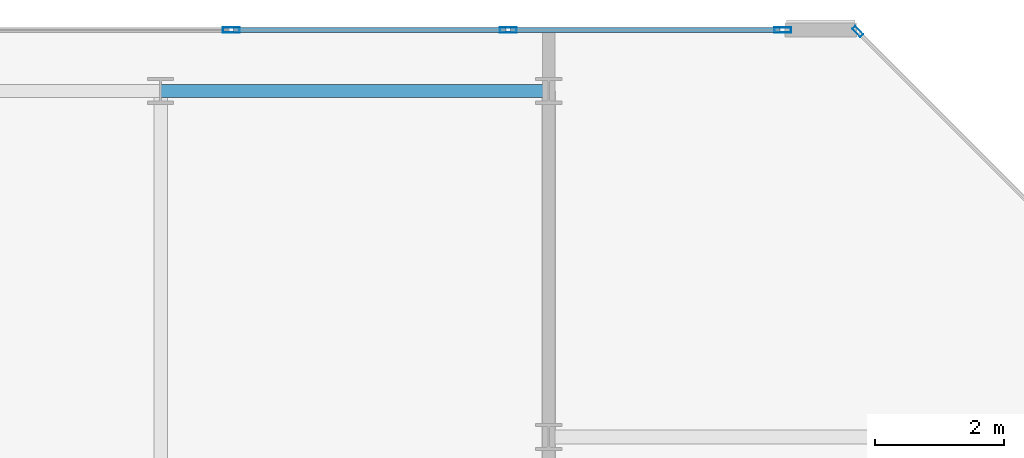
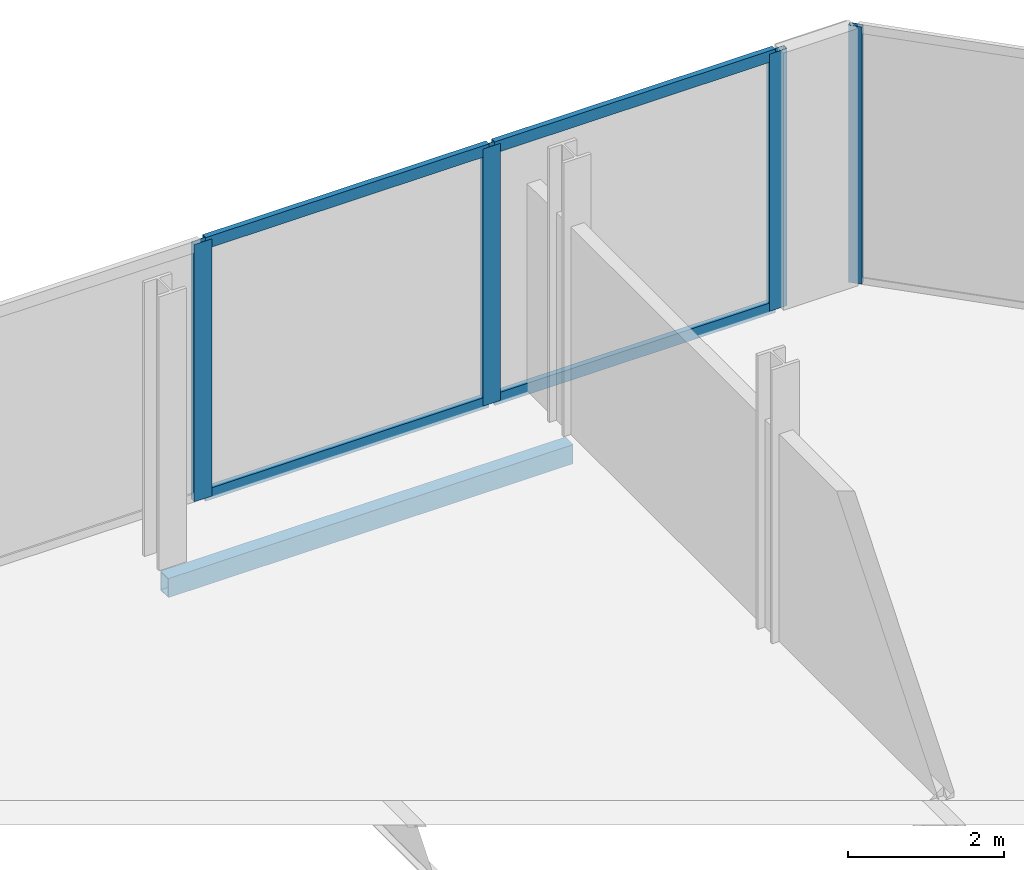
# One storey, part 12 of 16: 8 members, 1 beam, 2 elements without a shape of their own.
"""IFC4 building model written with IfcOpenShell, lengths in metres."""

import ifcopenshell
import ifcopenshell.guid

model = None  # the IFC model being written
_history = None  # IfcOwnerHistory: only IFC2X3 demands one
_inside = {}  # id of a spatial element -> (the spatial element, [elements in it])
_under = {}  # id of a project, library or spatial element -> (it, [spatial elements below it])
_declared = {}  # id of a project -> (the project, [libraries it declares])
_typed = {}  # id of a type object -> (the type object, [elements of that type])
_made_of = {}  # id of a material, layer set ... -> (it, [elements and type objects made of it])


def new_model(schema):
    """Start an empty IFC model of exactly this schema.

    Asked for "IFC4X3", IfcOpenShell would pick the latest addendum, in which some entities
    have other attributes; the version numbers below select the first issue.
    IFC2X3 requires an IfcOwnerHistory on every rooted entity: one is made here for all.
    """
    global model, _history
    if schema == "IFC4X3":
        model = ifcopenshell.file(schema_version=(4, 3, 0, 0))
    else:
        model = ifcopenshell.file(schema=schema)
    _inside.clear()
    _under.clear()
    _declared.clear()
    _typed.clear()
    _made_of.clear()
    _history = None
    if model.schema == "IFC2X3":
        org = make("IfcOrganization", Name="unknown")
        user = make(
            "IfcPersonAndOrganization",
            ThePerson=make("IfcPerson", FamilyName="unknown"),
            TheOrganization=org,
        )
        app = make(
            "IfcApplication",
            ApplicationDeveloper=org,
            Version="unknown",
            ApplicationFullName="unknown",
            ApplicationIdentifier="unknown",
        )
        _history = make(
            "IfcOwnerHistory",
            OwningUser=user,
            OwningApplication=app,
            ChangeAction="ADDED",
            CreationDate=0,
        )
    return model


def make(cls, **values):
    """One entity of the class cls with the attributes given. An attribute that is None is left unset."""
    return model.create_entity(
        cls, **{name: value for name, value in values.items() if value is not None}
    )


def rooted(cls, **values):
    """An entity with a GlobalId (a new one), such as an element, a storey or a relation."""
    return make(cls, GlobalId=ifcopenshell.guid.new(), OwnerHistory=_history, **values)


def si_unit(unit_type, name, prefix=None):
    """IfcSIUnit, for example si_unit("LENGTHUNIT", "METRE", prefix="MILLI")."""
    return make("IfcSIUnit", UnitType=unit_type, Prefix=prefix, Name=name)


def assignment(units):
    """IfcUnitAssignment: the units of a project."""
    return None if units is None else make("IfcUnitAssignment", Units=units)


def point(xyz):
    """IfcCartesianPoint."""
    return None if xyz is None else make("IfcCartesianPoint", Coordinates=xyz)


def direction(xyz):
    """IfcDirection."""
    return None if xyz is None else make("IfcDirection", DirectionRatios=xyz)


def frame(location, z_axis=None, x_axis=None):
    """IfcAxis2Placement3D, a coordinate frame: its origin and axes. An axis left out is left unset."""
    return make(
        "IfcAxis2Placement3D",
        Location=point(location),
        Axis=direction(z_axis),
        RefDirection=direction(x_axis),
    )


def frame_2d(location, x_axis=None):
    """IfcAxis2Placement2D, a coordinate frame in the plane: its origin and x axis."""
    return make(
        "IfcAxis2Placement2D", Location=point(location), RefDirection=direction(x_axis)
    )


def origin():
    """The frame at (0, 0, 0) with its axes left unset."""
    return frame((0.0, 0.0, 0.0))


def origin_2d():
    """The frame at (0, 0) in the plane with its x axis left unset."""
    return frame_2d((0.0, 0.0))


def place(relative_to, where):
    """IfcLocalPlacement: puts the frame where relative to a parent placement (None: the world)."""
    return make(
        "IfcLocalPlacement", PlacementRelTo=relative_to, RelativePlacement=where
    )


def context(
    kind, dimensions, precision=None, world=None, true_north=None, identifier=None
):
    """IfcGeometricRepresentationContext, for example the 3D "Model" context."""
    return make(
        "IfcGeometricRepresentationContext",
        ContextIdentifier=identifier,
        ContextType=kind,
        CoordinateSpaceDimension=dimensions,
        Precision=precision,
        WorldCoordinateSystem=world,
        TrueNorth=true_north,
    )


def subcontext(parent, identifier, kind, view, scale=None):
    """IfcGeometricRepresentationSubContext, for example "Body" below "Model"."""
    return make(
        "IfcGeometricRepresentationSubContext",
        ContextIdentifier=identifier,
        ContextType=kind,
        ParentContext=parent,
        TargetScale=scale,
        TargetView=view,
    )


def project(units=None, contexts=None):
    """IfcProject with its units and contexts."""
    return rooted(
        "IfcProject",
        Name="project",
        RepresentationContexts=contexts,
        UnitsInContext=assignment(units),
    )


def spatial(cls, under=None, at=None, **own):
    """A site, building, storey or space (cls), placed at a placement, below another one or the project."""
    s = rooted(cls, ObjectPlacement=at, **own)
    if under is not None:
        _under.setdefault(under.id(), (under, []))[1].append(s)
    return s


def profile(cls, at=None, kind="AREA", **sizes):
    """A parametric profile (cls). Its sizes go by their IFC names, for example OverallWidth=200.0."""
    return make(cls, ProfileType=kind, Position=at, **sizes)


def hollow_rectangle(**sizes):
    """IfcRectangleHollowProfileDef."""
    return profile("IfcRectangleHollowProfileDef", **sizes)


def extrude(swept, where, along, depth):
    """IfcExtrudedAreaSolid: the profile swept, set in the frame where, extruded along a direction by depth."""
    return make(
        "IfcExtrudedAreaSolid",
        SweptArea=swept,
        Position=where,
        ExtrudedDirection=direction(along),
        Depth=depth,
    )


def shape(context_of_items, identifier, shape_type, items):
    """IfcShapeRepresentation: the items that make up one representation, for example the "Body"."""
    return make(
        "IfcShapeRepresentation",
        ContextOfItems=context_of_items,
        RepresentationIdentifier=identifier,
        RepresentationType=shape_type,
        Items=items,
    )


def material(Name=None, Category=None):
    """IfcMaterial."""
    return make("IfcMaterial", Name=Name, Category=Category)


def layer(
    of_material, thickness, ventilated=None, Name=None, Category=None, Priority=None
):
    """IfcMaterialLayer: one layer of a wall or slab, of a material (None: an air gap)."""
    return make(
        "IfcMaterialLayer",
        Material=of_material,
        LayerThickness=thickness,
        IsVentilated=ventilated,
        Name=Name,
        Category=Category,
        Priority=Priority,
    )


def layer_set(layers, Name=None):
    """IfcMaterialLayerSet."""
    return make("IfcMaterialLayerSet", MaterialLayers=layers, LayerSetName=Name)


def material_profile(
    of_material, cross_section, Name=None, Category=None, Priority=None
):
    """IfcMaterialProfile: a cross section and its material."""
    return make(
        "IfcMaterialProfile",
        Name=Name,
        Material=of_material,
        Profile=cross_section,
        Priority=Priority,
        Category=Category,
    )


def profile_set(profiles, Name=None, composite=None):
    """IfcMaterialProfileSet."""
    return make(
        "IfcMaterialProfileSet",
        Name=Name,
        MaterialProfiles=profiles,
        CompositeProfile=composite,
    )


def made_of(thing, what):
    """Note that an element or type object is made of a material, layer set ...; save() writes the relation."""
    if what is not None:
        _made_of.setdefault(what.id(), (what, []))[1].append(thing)
    return thing


def type_object(cls, material=None, **own):
    """A type object (cls), such as IfcWallType, which elements share."""
    return made_of(rooted(cls, **own), material)


def element(
    cls,
    number,
    at=None,
    inside=None,
    cuts=None,
    type_object=None,
    material=None,
    context=None,
    identifier="Body",
    shape_type=None,
    held_by="IfcProductDefinitionShape",
    body=None,
    shapes=None,
    **own,
):
    """One element of the class cls, such as IfcWall. Its Tag is "e" and its number.

    at: its placement. inside: the storey or other place that contains it. cuts: it is an
    opening in that element (IfcRelVoidsElement). A single representation is given by context,
    identifier, shape_type and body (its items); several are given by shapes. held_by: the class
    of the entity that holds the representations. save() writes the other relations.
    """
    e = rooted(cls, Tag="e%d" % number, ObjectPlacement=at, **own)
    if body is not None:
        shapes = [shape(context, identifier, shape_type, body)]
    if shapes is not None:
        e.Representation = make(held_by, Representations=shapes)
    if inside is not None:
        _inside.setdefault(inside.id(), (inside, []))[1].append(e)
    if cuts is not None:
        rooted(
            "IfcRelVoidsElement", RelatingBuildingElement=cuts, RelatedOpeningElement=e
        )
    if type_object is not None:
        _typed.setdefault(type_object.id(), (type_object, []))[1].append(e)
    return made_of(e, material)


def aggregate(whole, parts):
    """IfcRelAggregates: a whole, such as a stair, and the parts it consists of."""
    return rooted("IfcRelAggregates", RelatingObject=whole, RelatedObjects=parts)


def save(model, path):
    """Write the relations noted so far, then the file.

    IfcRelAggregates (storeys below a building ...), IfcRelContainedInSpatialStructure (elements
    in a storey), IfcRelDefinesByType, IfcRelAssociatesMaterial and IfcRelDeclares: one each for
    every whole, place, type object, material and project.
    """
    for whole, parts in _under.values():
        aggregate(whole, parts)
    for where, things in _inside.values():
        rooted(
            "IfcRelContainedInSpatialStructure",
            RelatedElements=things,
            RelatingStructure=where,
        )
    for kind, things in _typed.values():
        rooted("IfcRelDefinesByType", RelatedObjects=things, RelatingType=kind)
    for what, things in _made_of.values():
        rooted("IfcRelAssociatesMaterial", RelatedObjects=things, RelatingMaterial=what)
    for by, libraries in _declared.values():
        rooted("IfcRelDeclares", RelatingContext=by, RelatedDefinitions=libraries)
    model.write(path)


model = new_model("IFC4")

# Units and contexts
model_context = context("Model", 3, precision=1e-05, world=origin(), true_north=direction((0.0, 1.0)))
body_context = subcontext(model_context, "Body", "Model", "MODEL_VIEW")
ifc_project = project(units=[si_unit("LENGTHUNIT", "METRE"), si_unit("AREAUNIT", "SQUARE_METRE"), si_unit("VOLUMEUNIT", "CUBIC_METRE"), si_unit("PLANEANGLEUNIT", "RADIAN"), si_unit("MASSUNIT", "GRAM", prefix="KILO")], contexts=[model_context])

# Site, building, storey
site_placement = place(None, origin())
site = spatial("IfcSite", under=ifc_project, at=site_placement, CompositionType="ELEMENT")
building_placement = place(site_placement, origin())
building = spatial("IfcBuilding", under=site, at=building_placement, Name="Tanjung Sevakor Pilgrim Tower", CompositionType="ELEMENT")
storey_placement = place(building_placement, frame((0.0, 0.0, 278.85009765625)))
storey = spatial("IfcBuildingStorey", under=building, at=storey_placement, Name="L78", CompositionType="ELEMENT", Elevation=278.85009765625)

# Beam
ifc_material_1 = material(Name="Steel S355J2", Category="steel")
ifc_material_profile_1 = material_profile(ifc_material_1, hollow_rectangle(XDim=0.199951171875, YDim=0.300048828125, WallThickness=0.012451171875, at=origin_2d()))
ifc_profile_set_1 = profile_set([ifc_material_profile_1], Name="Steel S355J2")
beam_type = type_object("IfcBeamType", Name="BM-B-SP3-RHS_300x200x12.5", PredefinedType="SPANDREL", material=ifc_profile_set_1)
beam_placement = place(storey_placement, frame((84.0, 53.949951171875, -0.41015625), z_axis=(1.0, 0.0, 0.0), x_axis=(0.0, 1.0, 0.0)))
element("IfcBeam", 1, at=beam_placement, inside=storey, type_object=beam_type, Name="L78 Spandrel EAST N-06", PredefinedType="SPANDREL", context=body_context, shape_type="SweptSolid", body=[
    extrude(hollow_rectangle(XDim=0.199951171875, YDim=0.300048828125, WallThickness=0.012451171875, at=origin_2d()), origin(), (0.0, 0.0, 1.0), 6.0),
])

# Curtain wall, member
ifc_material_2 = material(Name="Aluminium 6063-T6 and Low-E Glass", Category="aluminium")
ifc_layer_1 = layer(ifc_material_2, 0.179931640625)
ifc_layer_set_1 = layer_set([ifc_layer_1], Name="CW-SYS-CHAM")
curtain_wall_type_1 = type_object("IfcCurtainWallType", Name="CW-SYS-CHAM", PredefinedType="NOTDEFINED", material=ifc_layer_set_1)
curtain_wall_1_placement = place(storey_placement, origin())
curtain_wall_1 = element("IfcCurtainWall", 2, at=curtain_wall_1_placement, inside=storey, type_object=curtain_wall_type_1, Name="L78 Curtain Wall CW-CHM-L78-EAST-3", PredefinedType="NOTDEFINED")
ifc_material_3 = material(Name="Aluminium 6063-T6", Category="aluminium")
ifc_material_profile_2 = material_profile(ifc_material_3, hollow_rectangle(XDim=0.06494140625, YDim=0.179931640625, WallThickness=0.00390625, at=origin_2d()))
ifc_profile_set_2 = profile_set([ifc_material_profile_2], Name="Aluminium 6063-T6")
member_type_1 = type_object("IfcMemberType", Name="TYPE-CWM-1", PredefinedType="MULLION", material=ifc_profile_set_2)
member_1_placement = place(storey_placement, frame((94.77734375, 54.866943359375, 0.0), z_axis=(0.0, 0.0, 1.0), x_axis=(-0.707106781187, -0.707106781187, 0.0)))
member_1 = element("IfcMember", 3, at=member_1_placement, type_object=member_type_1, Name="CW-CHM mullion 2", PredefinedType="MULLION", context=body_context, shape_type="SweptSolid", body=[
    extrude(hollow_rectangle(XDim=0.06494140625, YDim=0.179931640625, WallThickness=0.00390625, at=origin_2d()), origin(), (0.0, 0.0, 1.0), 4.02978515625),
])
aggregate(curtain_wall_1, [member_1])

# Curtain wall, members
ifc_material_4 = material(Name="Aluminium 6063-T6 and Low-E Glass", Category="aluminium")
ifc_layer_2 = layer(ifc_material_4, 0.219970703125)
ifc_layer_set_2 = layer_set([ifc_layer_2], Name="CW-SYS-CRNE")
curtain_wall_type_2 = type_object("IfcCurtainWallType", Name="CW-SYS-CRNE", PredefinedType="NOTDEFINED", material=ifc_layer_set_2)
curtain_wall_2_placement = place(storey_placement, origin())
curtain_wall_2 = element("IfcCurtainWall", 4, at=curtain_wall_2_placement, inside=storey, type_object=curtain_wall_type_2, Name="L78 Curtain Wall CW-CRN-L78-EAST-4-1", PredefinedType="NOTDEFINED")
ifc_material_5 = material(Name="Aluminium 6063-T6", Category="aluminium")
ifc_material_profile_3 = material_profile(ifc_material_5, hollow_rectangle(XDim=0.080078125, YDim=0.260009765625, WallThickness=0.0048828125, at=origin_2d()))
ifc_profile_set_3 = profile_set([ifc_material_profile_3], Name="Aluminium 6063-T6")
member_type_2 = type_object("IfcMemberType", Name="TYPE-CWM-3", PredefinedType="MULLION", material=ifc_profile_set_3)
member_2_placement = place(storey_placement, frame((93.614501953125, 54.889892578125, 0.0), z_axis=(0.0, 0.0, 1.0), x_axis=(0.0, -1.0, 0.0)))
member_2 = element("IfcMember", 5, at=member_2_placement, type_object=member_type_2, Name="CW-CRE mullion 1", PredefinedType="MULLION", context=body_context, shape_type="SweptSolid", body=[
    extrude(hollow_rectangle(XDim=0.080078125, YDim=0.260009765625, WallThickness=0.0048828125, at=origin_2d()), origin(), (0.0, 0.0, 1.0), 4.02978515625),
])
member_3_placement = place(storey_placement, frame((89.37255859375, 54.889892578125, 0.0), z_axis=(0.0, 0.0, 1.0), x_axis=(0.0, -1.0, 0.0)))
member_3 = element("IfcMember", 6, at=member_3_placement, type_object=member_type_2, Name="CW-CRE mullion 2", PredefinedType="MULLION", context=body_context, shape_type="SweptSolid", body=[
    extrude(hollow_rectangle(XDim=0.080078125, YDim=0.260009765625, WallThickness=0.0048828125, at=origin_2d()), origin(), (0.0, 0.0, 1.0), 4.02978515625),
])
member_4_placement = place(storey_placement, frame((85.0908203125, 54.889892578125, 0.0), z_axis=(0.0, 0.0, 1.0), x_axis=(0.0, -1.0, 0.0)))
member_4 = element("IfcMember", 7, at=member_4_placement, type_object=member_type_2, Name="CW-CRE mullion 3", PredefinedType="MULLION", context=body_context, shape_type="SweptSolid", body=[
    extrude(hollow_rectangle(XDim=0.080078125, YDim=0.260009765625, WallThickness=0.0048828125, at=origin_2d()), origin(), (0.0, 0.0, 1.0), 4.02978515625),
])
ifc_material_6 = material(Name="Aluminium 6063-T6", Category="aluminium")
ifc_material_profile_4 = material_profile(ifc_material_6, hollow_rectangle(XDim=0.080078125, YDim=0.179931640625, WallThickness=0.0048828125, at=origin_2d()))
ifc_profile_set_4 = profile_set([ifc_material_profile_4], Name="Aluminium 6063-T6")
member_type_3 = type_object("IfcMemberType", Name="TYPE-CWT-3", PredefinedType="USERDEFINED", material=ifc_profile_set_4)
member_5_placement = place(storey_placement, frame((93.574462890625, 54.889892578125, 0.039794921875), z_axis=(-1.0, 0.0, 0.0), x_axis=(0.0, -1.0, 0.0)))
member_5 = element("IfcMember", 8, at=member_5_placement, type_object=member_type_3, Name="CW-CRE transom 1.1", ObjectType="TRANSOM", PredefinedType="USERDEFINED", context=body_context, shape_type="SweptSolid", body=[
    extrude(hollow_rectangle(XDim=0.080078125, YDim=0.179931640625, WallThickness=0.0048828125, at=origin_2d()), origin(), (0.0, 0.0, 1.0), 4.161865234375),
])
member_6_placement = place(storey_placement, frame((93.574462890625, 54.889892578125, 3.989990234375), z_axis=(-1.0, 0.0, 0.0), x_axis=(0.0, -1.0, 0.0)))
member_6 = element("IfcMember", 9, at=member_6_placement, type_object=member_type_3, Name="CW-CRE transom 1.2", ObjectType="TRANSOM", PredefinedType="USERDEFINED", context=body_context, shape_type="SweptSolid", body=[
    extrude(hollow_rectangle(XDim=0.080078125, YDim=0.179931640625, WallThickness=0.0048828125, at=origin_2d()), origin(), (0.0, 0.0, 1.0), 4.161865234375),
])
member_7_placement = place(storey_placement, frame((89.33251953125, 54.889892578125, 0.039794921875), z_axis=(-1.0, 0.0, 0.0), x_axis=(0.0, -1.0, 0.0)))
member_7 = element("IfcMember", 10, at=member_7_placement, type_object=member_type_3, Name="CW-CRE transom 2.1", ObjectType="TRANSOM", PredefinedType="USERDEFINED", context=body_context, shape_type="SweptSolid", body=[
    extrude(hollow_rectangle(XDim=0.080078125, YDim=0.179931640625, WallThickness=0.0048828125, at=origin_2d()), origin(), (0.0, 0.0, 1.0), 4.20166015625),
])
member_8_placement = place(storey_placement, frame((89.33251953125, 54.889892578125, 3.989990234375), z_axis=(-1.0, 0.0, 0.0), x_axis=(0.0, -1.0, 0.0)))
member_8 = element("IfcMember", 11, at=member_8_placement, type_object=member_type_3, Name="CW-CRE transom 2.2", ObjectType="TRANSOM", PredefinedType="USERDEFINED", context=body_context, shape_type="SweptSolid", body=[
    extrude(hollow_rectangle(XDim=0.080078125, YDim=0.179931640625, WallThickness=0.0048828125, at=origin_2d()), origin(), (0.0, 0.0, 1.0), 4.20166015625),
])
aggregate(curtain_wall_2, [member_2, member_3, member_4, member_5, member_6, member_7, member_8])

save(model, "model.ifc")
